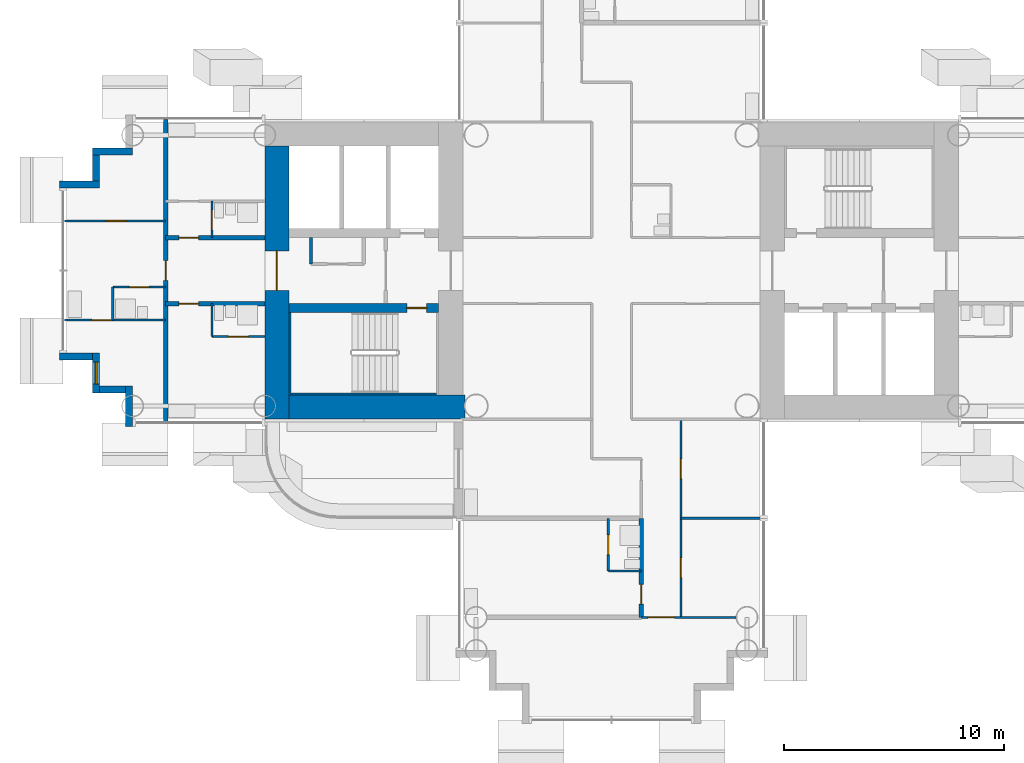
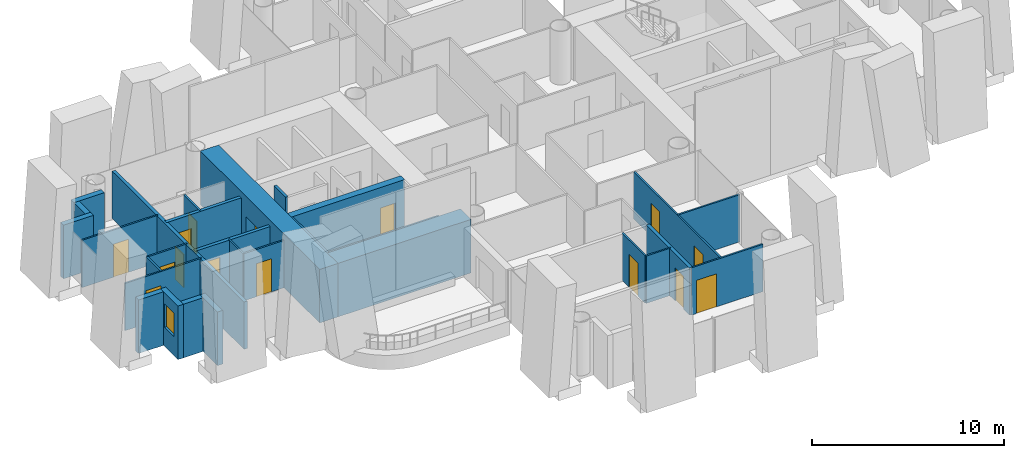
# One storey, part 10 of 24: 29 walls, 15 doors, 1 window, 16 openings.
"""IFC4 building model written with IfcOpenShell, lengths in metres."""

import ifcopenshell
import ifcopenshell.guid

model = None  # the IFC model being written
_history = None  # IfcOwnerHistory: only IFC2X3 demands one
_inside = {}  # id of a spatial element -> (the spatial element, [elements in it])
_under = {}  # id of a project, library or spatial element -> (it, [spatial elements below it])
_declared = {}  # id of a project -> (the project, [libraries it declares])
_typed = {}  # id of a type object -> (the type object, [elements of that type])
_made_of = {}  # id of a material, layer set ... -> (it, [elements and type objects made of it])


def new_model(schema):
    """Start an empty IFC model of exactly this schema.

    Asked for "IFC4X3", IfcOpenShell would pick the latest addendum, in which some entities
    have other attributes; the version numbers below select the first issue.
    IFC2X3 requires an IfcOwnerHistory on every rooted entity: one is made here for all.
    """
    global model, _history
    if schema == "IFC4X3":
        model = ifcopenshell.file(schema_version=(4, 3, 0, 0))
    else:
        model = ifcopenshell.file(schema=schema)
    _inside.clear()
    _under.clear()
    _declared.clear()
    _typed.clear()
    _made_of.clear()
    _history = None
    if model.schema == "IFC2X3":
        org = make("IfcOrganization", Name="unknown")
        user = make(
            "IfcPersonAndOrganization",
            ThePerson=make("IfcPerson", FamilyName="unknown"),
            TheOrganization=org,
        )
        app = make(
            "IfcApplication",
            ApplicationDeveloper=org,
            Version="unknown",
            ApplicationFullName="unknown",
            ApplicationIdentifier="unknown",
        )
        _history = make(
            "IfcOwnerHistory",
            OwningUser=user,
            OwningApplication=app,
            ChangeAction="ADDED",
            CreationDate=0,
        )
    return model


def make(cls, **values):
    """One entity of the class cls with the attributes given. An attribute that is None is left unset."""
    return model.create_entity(
        cls, **{name: value for name, value in values.items() if value is not None}
    )


def rooted(cls, **values):
    """An entity with a GlobalId (a new one), such as an element, a storey or a relation."""
    return make(cls, GlobalId=ifcopenshell.guid.new(), OwnerHistory=_history, **values)


def si_unit(unit_type, name, prefix=None):
    """IfcSIUnit, for example si_unit("LENGTHUNIT", "METRE", prefix="MILLI")."""
    return make("IfcSIUnit", UnitType=unit_type, Prefix=prefix, Name=name)


def assignment(units):
    """IfcUnitAssignment: the units of a project."""
    return None if units is None else make("IfcUnitAssignment", Units=units)


def point(xyz):
    """IfcCartesianPoint."""
    return None if xyz is None else make("IfcCartesianPoint", Coordinates=xyz)


def direction(xyz):
    """IfcDirection."""
    return None if xyz is None else make("IfcDirection", DirectionRatios=xyz)


def frame(location, z_axis=None, x_axis=None):
    """IfcAxis2Placement3D, a coordinate frame: its origin and axes. An axis left out is left unset."""
    return make(
        "IfcAxis2Placement3D",
        Location=point(location),
        Axis=direction(z_axis),
        RefDirection=direction(x_axis),
    )


def frame_2d(location, x_axis=None):
    """IfcAxis2Placement2D, a coordinate frame in the plane: its origin and x axis."""
    return make(
        "IfcAxis2Placement2D", Location=point(location), RefDirection=direction(x_axis)
    )


def origin():
    """The frame at (0, 0, 0) with its axes left unset."""
    return frame((0.0, 0.0, 0.0))


def place(relative_to, where):
    """IfcLocalPlacement: puts the frame where relative to a parent placement (None: the world)."""
    return make(
        "IfcLocalPlacement", PlacementRelTo=relative_to, RelativePlacement=where
    )


def context(
    kind, dimensions, precision=None, world=None, true_north=None, identifier=None
):
    """IfcGeometricRepresentationContext, for example the 3D "Model" context."""
    return make(
        "IfcGeometricRepresentationContext",
        ContextIdentifier=identifier,
        ContextType=kind,
        CoordinateSpaceDimension=dimensions,
        Precision=precision,
        WorldCoordinateSystem=world,
        TrueNorth=true_north,
    )


def subcontext(parent, identifier, kind, view, scale=None):
    """IfcGeometricRepresentationSubContext, for example "Body" below "Model"."""
    return make(
        "IfcGeometricRepresentationSubContext",
        ContextIdentifier=identifier,
        ContextType=kind,
        ParentContext=parent,
        TargetScale=scale,
        TargetView=view,
    )


def project(units=None, contexts=None):
    """IfcProject with its units and contexts."""
    return rooted(
        "IfcProject",
        Name="project",
        RepresentationContexts=contexts,
        UnitsInContext=assignment(units),
    )


def spatial(cls, under=None, at=None, **own):
    """A site, building, storey or space (cls), placed at a placement, below another one or the project."""
    s = rooted(cls, ObjectPlacement=at, **own)
    if under is not None:
        _under.setdefault(under.id(), (under, []))[1].append(s)
    return s


def profile(cls, at=None, kind="AREA", **sizes):
    """A parametric profile (cls). Its sizes go by their IFC names, for example OverallWidth=200.0."""
    return make(cls, ProfileType=kind, Position=at, **sizes)


def rectangle(**sizes):
    """IfcRectangleProfileDef."""
    return profile("IfcRectangleProfileDef", **sizes)


def extrude(swept, where, along, depth):
    """IfcExtrudedAreaSolid: the profile swept, set in the frame where, extruded along a direction by depth."""
    return make(
        "IfcExtrudedAreaSolid",
        SweptArea=swept,
        Position=where,
        ExtrudedDirection=direction(along),
        Depth=depth,
    )


def shape(context_of_items, identifier, shape_type, items):
    """IfcShapeRepresentation: the items that make up one representation, for example the "Body"."""
    return make(
        "IfcShapeRepresentation",
        ContextOfItems=context_of_items,
        RepresentationIdentifier=identifier,
        RepresentationType=shape_type,
        Items=items,
    )


def material(Name=None, Category=None):
    """IfcMaterial."""
    return make("IfcMaterial", Name=Name, Category=Category)


def layer(
    of_material, thickness, ventilated=None, Name=None, Category=None, Priority=None
):
    """IfcMaterialLayer: one layer of a wall or slab, of a material (None: an air gap)."""
    return make(
        "IfcMaterialLayer",
        Material=of_material,
        LayerThickness=thickness,
        IsVentilated=ventilated,
        Name=Name,
        Category=Category,
        Priority=Priority,
    )


def layer_set(layers, Name=None):
    """IfcMaterialLayerSet."""
    return make("IfcMaterialLayerSet", MaterialLayers=layers, LayerSetName=Name)


def made_of(thing, what):
    """Note that an element or type object is made of a material, layer set ...; save() writes the relation."""
    if what is not None:
        _made_of.setdefault(what.id(), (what, []))[1].append(thing)
    return thing


def type_object(cls, material=None, **own):
    """A type object (cls), such as IfcWallType, which elements share."""
    return made_of(rooted(cls, **own), material)


def element(
    cls,
    number,
    at=None,
    inside=None,
    cuts=None,
    type_object=None,
    material=None,
    context=None,
    identifier="Body",
    shape_type=None,
    held_by="IfcProductDefinitionShape",
    body=None,
    shapes=None,
    **own,
):
    """One element of the class cls, such as IfcWall. Its Tag is "e" and its number.

    at: its placement. inside: the storey or other place that contains it. cuts: it is an
    opening in that element (IfcRelVoidsElement). A single representation is given by context,
    identifier, shape_type and body (its items); several are given by shapes. held_by: the class
    of the entity that holds the representations. save() writes the other relations.
    """
    e = rooted(cls, Tag="e%d" % number, ObjectPlacement=at, **own)
    if body is not None:
        shapes = [shape(context, identifier, shape_type, body)]
    if shapes is not None:
        e.Representation = make(held_by, Representations=shapes)
    if inside is not None:
        _inside.setdefault(inside.id(), (inside, []))[1].append(e)
    if cuts is not None:
        rooted(
            "IfcRelVoidsElement", RelatingBuildingElement=cuts, RelatedOpeningElement=e
        )
    if type_object is not None:
        _typed.setdefault(type_object.id(), (type_object, []))[1].append(e)
    return made_of(e, material)


def fill(opening, filler):
    """IfcRelFillsElement: the door or window that sits in an opening."""
    return rooted(
        "IfcRelFillsElement",
        RelatingOpeningElement=opening,
        RelatedBuildingElement=filler,
    )


def aggregate(whole, parts):
    """IfcRelAggregates: a whole, such as a stair, and the parts it consists of."""
    return rooted("IfcRelAggregates", RelatingObject=whole, RelatedObjects=parts)


def save(model, path):
    """Write the relations noted so far, then the file.

    IfcRelAggregates (storeys below a building ...), IfcRelContainedInSpatialStructure (elements
    in a storey), IfcRelDefinesByType, IfcRelAssociatesMaterial and IfcRelDeclares: one each for
    every whole, place, type object, material and project.
    """
    for whole, parts in _under.values():
        aggregate(whole, parts)
    for where, things in _inside.values():
        rooted(
            "IfcRelContainedInSpatialStructure",
            RelatedElements=things,
            RelatingStructure=where,
        )
    for kind, things in _typed.values():
        rooted("IfcRelDefinesByType", RelatedObjects=things, RelatingType=kind)
    for what, things in _made_of.values():
        rooted("IfcRelAssociatesMaterial", RelatedObjects=things, RelatingMaterial=what)
    for by, libraries in _declared.values():
        rooted("IfcRelDeclares", RelatingContext=by, RelatedDefinitions=libraries)
    model.write(path)


model = new_model("IFC4")

# Units and contexts
model_context = context("Model", 3, precision=1e-05, world=origin(), true_north=direction((0.0, 1.0)))
body_context = subcontext(model_context, "Body", "Model", "MODEL_VIEW")
ifc_project = project(units=[si_unit("LENGTHUNIT", "METRE"), si_unit("AREAUNIT", "SQUARE_METRE"), si_unit("VOLUMEUNIT", "CUBIC_METRE"), si_unit("PLANEANGLEUNIT", "RADIAN"), si_unit("MASSUNIT", "GRAM", prefix="KILO")], contexts=[model_context])

# Site, building, storey
site_placement = place(None, origin())
site = spatial("IfcSite", under=ifc_project, at=site_placement, CompositionType="ELEMENT")
building_placement = place(site_placement, origin())
building = spatial("IfcBuilding", under=site, at=building_placement, Name="Ipe Terrace Towers", CompositionType="ELEMENT")
storey_placement = place(building_placement, frame((0.0, 0.0, 38.10009765625)))
storey = spatial("IfcBuildingStorey", under=building, at=storey_placement, Name="L09", CompositionType="ELEMENT", Elevation=38.10009765625)

# Wall
ifc_material_1 = material(Name="Concrete C40/50 with buff precast cladding", Category="concrete")
ifc_layer_1 = layer(ifc_material_1, 0.320068359375)
ifc_layer_set_1 = layer_set([ifc_layer_1], Name="BUFF CLADDING WALL 320")
wall_type_1 = type_object("IfcWallType", Name="BUFF CLADDING WALL 320", PredefinedType="STANDARD", material=ifc_layer_set_1)
wall_1_placement = place(storey_placement, frame((-61.070068359375, -3.909912109375, -0.300048828125), z_axis=(0.0, 0.0, 1.0), x_axis=(1.0, 0.0, 0.0)))
element("IfcWall", 1, at=wall_1_placement, inside=storey, type_object=wall_type_1, Name="T1-W-L09-00a wall", PredefinedType="STANDARD", context=body_context, shape_type="SweptSolid", body=[
    extrude(rectangle(XDim=1.5, YDim=0.320068359375, at=frame_2d((0.75, 0.0))), origin(), (0.0, 0.0, 1.0), 3.39990234375),
])

# Wall, opening, window
wall_2_placement = place(storey_placement, frame((-59.409912109375, -3.75, -0.300048828125), z_axis=(0.0, 0.0, 1.0), x_axis=(0.0, -1.0, 0.0)))
wall_2 = element("IfcWall", 2, at=wall_2_placement, inside=storey, type_object=wall_type_1, Name="T1-W-L09-01a wall", PredefinedType="STANDARD", context=body_context, shape_type="SweptSolid", body=[
    extrude(rectangle(XDim=1.820068359375, YDim=0.320068359375, at=frame_2d((0.91015625, 0.0))), origin(), (0.0, 0.0, 1.0), 3.39990234375),
])
opening_1_placement = place(wall_2_placement, frame((0.409912109375, 0.0, 1.199951171875)))
opening_1 = element("IfcOpeningElement", 3, at=opening_1_placement, cuts=wall_2, Name="Opening T1-W-05-L09-01", PredefinedType="OPENING", context=body_context, shape_type="SweptSolid", body=[
    extrude(rectangle(XDim=1.0, YDim=1.5, at=frame_2d((0.5, 0.75))), frame((0.0, 0.169921875, 0.0), z_axis=(0.0, -1.0, 0.0), x_axis=(1.0, 0.0, 0.0)), (0.0, 0.0, 1.0), 0.340087890625),
])
ifc_material_2 = material(Name="Glass, clear laminated", Category="glass")
window_type = type_object("IfcWindowType", Name="DWELLING WINDOW 1000 x 1500", PartitioningType="SINGLE_PANEL", PredefinedType="WINDOW", material=ifc_material_2)
window_placement = place(opening_1_placement, origin())
window = element("IfcWindow", 4, at=window_placement, inside=storey, type_object=window_type, Name="W-05 window", OverallHeight=1.5, OverallWidth=1.0, PartitioningType="SINGLE_PANEL", PredefinedType="WINDOW", context=body_context, shape_type="SweptSolid", body=[
    extrude(rectangle(XDim=1.0, YDim=1.5, at=frame_2d((0.5, 0.75))), frame((0.0, 0.030029296875, 0.0), z_axis=(0.0, -1.0, 0.0), x_axis=(1.0, 0.0, 0.0)), (0.0, 0.0, 1.0), 0.06005859375),
])
fill(opening_1, window)

# Walls
wall_3_placement = place(storey_placement, frame((-59.25, -5.409912109375, -0.300048828125), z_axis=(0.0, 0.0, 1.0), x_axis=(1.0, 0.0, 0.0)))
element("IfcWall", 5, at=wall_3_placement, inside=storey, type_object=wall_type_1, Name="T1-W-L09-02a wall", PredefinedType="STANDARD", context=body_context, shape_type="SweptSolid", body=[
    extrude(rectangle(XDim=1.179931640625, YDim=0.320068359375, at=frame_2d((0.58984375, 0.0))), origin(), (0.0, 0.0, 1.0), 3.39990234375),
])
for number, where, z_axis, x_axis, name in (
    (6, (-57.909912109375, -5.25, -0.300048828125), (0.0, 0.0, 1.0), (0.0, -1.0, 0.0), "T1-W-L09-03a wall"),
    (7, (-57.75, 5.409912109375, -0.300048828125), (0.0, 0.0, 1.0), (-1.0, 0.0, 0.0), "T1-W-L09-48a wall"),
):
    element("IfcWall", number, at=place(storey_placement, frame(where, z_axis=z_axis, x_axis=x_axis)), inside=storey, type_object=wall_type_1, Name=name, PredefinedType="STANDARD", context=body_context, shape_type="SweptSolid", body=[
        extrude(rectangle(XDim=1.820068359375, YDim=0.320068359375, at=frame_2d((0.91015625, 0.0))), origin(), (0.0, 0.0, 1.0), 3.39990234375),
    ])
wall_4_placement = place(storey_placement, frame((-59.409912109375, 5.25, -0.300048828125), z_axis=(0.0, 0.0, 1.0), x_axis=(0.0, -1.0, 0.0)))
element("IfcWall", 8, at=wall_4_placement, inside=storey, type_object=wall_type_1, Name="T1-W-L09-49a wall", PredefinedType="STANDARD", context=body_context, shape_type="SweptSolid", body=[
    extrude(rectangle(XDim=1.179931640625, YDim=0.320068359375, at=frame_2d((0.58984375, 0.0))), origin(), (0.0, 0.0, 1.0), 3.39990234375),
])
wall_5_placement = place(storey_placement, frame((-59.25, 3.909912109375, -0.300048828125), z_axis=(0.0, 0.0, 1.0), x_axis=(-1.0, 0.0, 0.0)))
element("IfcWall", 9, at=wall_5_placement, inside=storey, type_object=wall_type_1, Name="T1-W-L09-50a wall", PredefinedType="STANDARD", context=body_context, shape_type="SweptSolid", body=[
    extrude(rectangle(XDim=1.820068359375, YDim=0.320068359375, at=frame_2d((0.91015625, 0.0))), origin(), (0.0, 0.0, 1.0), 3.39990234375),
])
ifc_material_3 = material(Name="Gypsum board partition", Category="plasterboard")
ifc_layer_2 = layer(ifc_material_3, 0.10009765625)
ifc_layer_set_2 = layer_set([ifc_layer_2], Name="Gypsum board partition 100 mm")
wall_type_2 = type_object("IfcWallType", Name="Gypsum board partition 100 mm", PredefinedType="PARTITIONING", material=ifc_layer_set_2)
for number, where, z_axis, x_axis, name in (
    (10, (-58.64990234375, -2.25, 0.0), (0.0, 0.0, 1.0), (0.0, 1.0, 0.0), "Gypsum board partition T1 L09 W01"),
    (11, (-54.14990234375, -3.0, 0.0), (0.0, 0.0, 1.0), (0.0, 1.0, 0.0), "Gypsum board partition T1 L09 W03"),
):
    element("IfcWall", number, at=place(storey_placement, frame(where, z_axis=z_axis, x_axis=x_axis)), inside=storey, type_object=wall_type_2, Name=name, PredefinedType="PARTITIONING", context=body_context, shape_type="SweptSolid", body=[
        extrude(rectangle(XDim=1.5, YDim=0.10009765625, at=frame_2d((0.75, 0.0))), origin(), (0.0, 0.0, 1.0), 3.0),
    ])

# Wall, opening, door
wall_6_placement = place(storey_placement, frame((-54.14990234375, 1.5, 0.0), z_axis=(0.0, 0.0, 1.0), x_axis=(0.0, 1.0, 0.0)))
wall_6 = element("IfcWall", 12, at=wall_6_placement, inside=storey, type_object=wall_type_2, Name="Gypsum board partition T1 L09 W04", PredefinedType="PARTITIONING", context=body_context, shape_type="SweptSolid", body=[
    extrude(rectangle(XDim=1.64990234375, YDim=0.10009765625, at=frame_2d((0.824951171875, 0.0))), origin(), (0.0, 0.0, 1.0), 3.0),
])
opening_2_placement = place(wall_6_placement, frame((0.35009765625, 0.0, 0.0)))
opening_2 = element("IfcOpeningElement", 13, at=opening_2_placement, cuts=wall_6, Name="Opening T1-Z1B-26", PredefinedType="OPENING", context=body_context, shape_type="SweptSolid", body=[
    extrude(rectangle(XDim=0.89990234375, YDim=2.10009765625, at=frame_2d((0.449951171875, 1.050048828125))), frame((0.0, 0.06005859375, 0.0), z_axis=(0.0, -1.0, 0.0), x_axis=(1.0, 0.0, 0.0)), (0.0, 0.0, 1.0), 0.1201171875),
])
ifc_material_4 = material(Name="Timber door leaf", Category="wood")
door_type_1 = type_object("IfcDoorType", Name="Bathroom door 900 x 2100", OperationType="NOTDEFINED", PredefinedType="DOOR", material=ifc_material_4)
door_1_placement = place(opening_2_placement, origin())
door_1 = element("IfcDoor", 14, at=door_1_placement, inside=storey, type_object=door_type_1, Name="Bathroom door T1-Z1B-26", OperationType="SINGLE_SWING_LEFT", OverallHeight=2.10009765625, OverallWidth=0.89990234375, PredefinedType="DOOR", context=body_context, shape_type="SweptSolid", body=[
    extrude(rectangle(XDim=0.89990234375, YDim=2.10009765625, at=frame_2d((0.449951171875, 1.050048828125))), frame((0.0, 0.02490234375, 0.0), z_axis=(0.0, -1.0, 0.0), x_axis=(1.0, 0.0, 0.0)), (0.0, 0.0, 1.0), 0.050048828125),
])
fill(opening_2, door_1)

wall_7_placement = place(storey_placement, frame((-36.14990234375, -13.64990234375, 0.0), z_axis=(0.0, 0.0, 1.0), x_axis=(0.0, 1.0, 0.0)))
wall_7 = element("IfcWall", 15, at=wall_7_placement, inside=storey, type_object=wall_type_2, Name="Gypsum board partition T1 L09 W10", PredefinedType="PARTITIONING", context=body_context, shape_type="SweptSolid", body=[
    extrude(rectangle(XDim=2.39990234375, YDim=0.10009765625, at=frame_2d((1.199951171875, 0.0))), origin(), (0.0, 0.0, 1.0), 3.0),
])
opening_3_placement = place(wall_7_placement, frame((0.75, 0.0, 0.0)))
opening_3 = element("IfcOpeningElement", 16, at=opening_3_placement, cuts=wall_7, Name="Opening T1-Z1B-16", PredefinedType="OPENING", context=body_context, shape_type="SweptSolid", body=[
    extrude(rectangle(XDim=0.89990234375, YDim=2.10009765625, at=frame_2d((0.449951171875, 1.050048828125))), frame((0.0, 0.06005859375, 0.0), z_axis=(0.0, -1.0, 0.0), x_axis=(1.0, 0.0, 0.0)), (0.0, 0.0, 1.0), 0.1201171875),
])
door_2_placement = place(opening_3_placement, origin())
door_2 = element("IfcDoor", 17, at=door_2_placement, inside=storey, type_object=door_type_1, Name="Bathroom door T1-Z1B-16", OperationType="SINGLE_SWING_RIGHT", OverallHeight=2.10009765625, OverallWidth=0.89990234375, PredefinedType="DOOR", context=body_context, shape_type="SweptSolid", body=[
    extrude(rectangle(XDim=0.89990234375, YDim=2.10009765625, at=frame_2d((0.449951171875, 1.050048828125))), frame((0.0, 0.02490234375, 0.0), z_axis=(0.0, -1.0, 0.0), x_axis=(1.0, 0.0, 0.0)), (0.0, 0.0, 1.0), 0.050048828125),
])
fill(opening_3, door_2)

# Wall, openings, doors
wall_8_placement = place(storey_placement, frame((-32.85009765625, -15.75, 0.0), z_axis=(0.0, 0.0, 1.0), x_axis=(0.0, 1.0, 0.0)))
wall_8 = element("IfcWall", 18, at=wall_8_placement, inside=storey, type_object=wall_type_2, Name="Gypsum board partition T1 L09 W17", PredefinedType="PARTITIONING", context=body_context, shape_type="SweptSolid", body=[
    extrude(rectangle(XDim=9.0, YDim=0.10009765625, at=frame_2d((4.5, 0.0))), origin(), (0.0, 0.0, 1.0), 3.0),
])
opening_4_placement = place(wall_8_placement, frame((6.300048828125, 0.0, 0.0)))
opening_4 = element("IfcOpeningElement", 19, at=opening_4_placement, cuts=wall_8, Name="Opening T1-Z1B-12", PredefinedType="OPENING", context=body_context, shape_type="SweptSolid", body=[
    extrude(rectangle(XDim=0.89990234375, YDim=2.10009765625, at=frame_2d((0.449951171875, 1.050048828125))), frame((0.0, 0.06005859375, 0.0), z_axis=(0.0, -1.0, 0.0), x_axis=(1.0, 0.0, 0.0)), (0.0, 0.0, 1.0), 0.1201171875),
])
opening_5_placement = place(wall_8_placement, frame((1.800048828125, 0.0, 0.0)))
opening_5 = element("IfcOpeningElement", 20, at=opening_5_placement, cuts=wall_8, Name="Opening T1-Z1B-13", PredefinedType="OPENING", context=body_context, shape_type="SweptSolid", body=[
    extrude(rectangle(XDim=0.89990234375, YDim=2.10009765625, at=frame_2d((0.449951171875, 1.050048828125))), frame((0.0, 0.06005859375, 0.0), z_axis=(0.0, -1.0, 0.0), x_axis=(1.0, 0.0, 0.0)), (0.0, 0.0, 1.0), 0.1201171875),
])
ifc_material_5 = material(Name="Timber door leaf", Category="wood")
door_type_2 = type_object("IfcDoorType", Name="Lounge door 900 x 2100", OperationType="NOTDEFINED", PredefinedType="DOOR", material=ifc_material_5)
door_3_placement = place(opening_4_placement, origin())
door_3 = element("IfcDoor", 21, at=door_3_placement, inside=storey, type_object=door_type_2, Name="Lounge door T1-Z1B-12", OperationType="SINGLE_SWING_RIGHT", OverallHeight=2.10009765625, OverallWidth=0.89990234375, PredefinedType="DOOR", context=body_context, shape_type="SweptSolid", body=[
    extrude(rectangle(XDim=0.89990234375, YDim=2.10009765625, at=frame_2d((0.449951171875, 1.050048828125))), frame((0.0, 0.02490234375, 0.0), z_axis=(0.0, -1.0, 0.0), x_axis=(1.0, 0.0, 0.0)), (0.0, 0.0, 1.0), 0.050048828125),
])
fill(opening_4, door_3)
door_4_placement = place(opening_5_placement, origin())
door_4 = element("IfcDoor", 22, at=door_4_placement, inside=storey, type_object=door_type_2, Name="Lounge door T1-Z1B-13", OperationType="SINGLE_SWING_LEFT", OverallHeight=2.10009765625, OverallWidth=0.89990234375, PredefinedType="DOOR", context=body_context, shape_type="SweptSolid", body=[
    extrude(rectangle(XDim=0.89990234375, YDim=2.10009765625, at=frame_2d((0.449951171875, 1.050048828125))), frame((0.0, 0.02490234375, 0.0), z_axis=(0.0, -1.0, 0.0), x_axis=(1.0, 0.0, 0.0)), (0.0, 0.0, 1.0), 0.050048828125),
])
fill(opening_5, door_4)

# Wall, opening, door
wall_9_placement = place(storey_placement, frame((-34.64990234375, -15.75, 0.0), z_axis=(0.0, 0.0, 1.0), x_axis=(1.0, 0.0, 0.0)))
wall_9 = element("IfcWall", 23, at=wall_9_placement, inside=storey, type_object=wall_type_2, Name="Gypsum board partition T1 L09 W21", PredefinedType="PARTITIONING", context=body_context, shape_type="SweptSolid", body=[
    extrude(rectangle(XDim=4.2998046875, YDim=0.10009765625, at=frame_2d((2.14990234375, 0.0))), origin(), (0.0, 0.0, 1.0), 3.0),
])
opening_6_placement = place(wall_9_placement, frame((0.300048828125, 0.0, 0.0)))
opening_6 = element("IfcOpeningElement", 24, at=opening_6_placement, cuts=wall_9, Name="Opening T1-Z1B-17", PredefinedType="OPENING", context=body_context, shape_type="SweptSolid", body=[
    extrude(rectangle(XDim=1.199951171875, YDim=2.10009765625, at=frame_2d((0.60009765625, 1.050048828125))), frame((0.0, 0.06005859375, 0.0), z_axis=(0.0, -1.0, 0.0), x_axis=(1.0, 0.0, 0.0)), (0.0, 0.0, 1.0), 0.1201171875),
])
ifc_material_6 = material(Name="Timber door leaf", Category="wood")
door_type_3 = type_object("IfcDoorType", Name="Lounge door 1200 x 2100", OperationType="NOTDEFINED", PredefinedType="DOOR", material=ifc_material_6)
door_5_placement = place(opening_6_placement, origin())
door_5 = element("IfcDoor", 25, at=door_5_placement, inside=storey, type_object=door_type_3, Name="Lounge door T1-Z1B-17", OperationType="SINGLE_SWING_LEFT", OverallHeight=2.10009765625, OverallWidth=1.199951171875, PredefinedType="DOOR", context=body_context, shape_type="SweptSolid", body=[
    extrude(rectangle(XDim=1.199951171875, YDim=2.10009765625, at=frame_2d((0.60009765625, 1.050048828125))), frame((0.0, 0.02490234375, 0.0), z_axis=(0.0, -1.0, 0.0), x_axis=(1.0, 0.0, 0.0)), (0.0, 0.0, 1.0), 0.050048828125),
])
fill(opening_6, door_5)

# Walls
wall_10_placement = place(storey_placement, frame((-36.14990234375, -13.64990234375, 0.0), z_axis=(0.0, 0.0, 1.0), x_axis=(1.0, 0.0, 0.0)))
element("IfcWall", 26, at=wall_10_placement, inside=storey, type_object=wall_type_2, Name="Gypsum board partition T1 L09 W23", PredefinedType="PARTITIONING", context=body_context, shape_type="SweptSolid", body=[
    extrude(rectangle(XDim=1.5, YDim=0.10009765625, at=frame_2d((0.75, 0.0))), origin(), (0.0, 0.0, 1.0), 3.0),
])
wall_11_placement = place(storey_placement, frame((-32.85009765625, -11.25, 0.0), z_axis=(0.0, 0.0, 1.0), x_axis=(1.0, 0.0, 0.0)))
element("IfcWall", 27, at=wall_11_placement, inside=storey, type_object=wall_type_2, Name="Gypsum board partition T1 L09 W24", PredefinedType="PARTITIONING", context=body_context, shape_type="SweptSolid", body=[
    extrude(rectangle(XDim=3.7001953125, YDim=0.10009765625, at=frame_2d((1.85009765625, 0.0))), origin(), (0.0, 0.0, 1.0), 3.0),
])

# Wall, opening, door
wall_12_placement = place(storey_placement, frame((-54.14990234375, -3.0, 0.0), z_axis=(0.0, 0.0, 1.0), x_axis=(1.0, 0.0, 0.0)))
wall_12 = element("IfcWall", 28, at=wall_12_placement, inside=storey, type_object=wall_type_2, Name="Gypsum board partition T1 L09 W29", PredefinedType="PARTITIONING", context=body_context, shape_type="SweptSolid", body=[
    extrude(rectangle(XDim=2.39990234375, YDim=0.10009765625, at=frame_2d((1.199951171875, 0.0))), origin(), (0.0, 0.0, 1.0), 3.0),
])
opening_7_placement = place(wall_12_placement, frame((0.75, 0.0, 0.0)))
opening_7 = element("IfcOpeningElement", 29, at=opening_7_placement, cuts=wall_12, Name="Opening T1-Z1B-23", PredefinedType="OPENING", context=body_context, shape_type="SweptSolid", body=[
    extrude(rectangle(XDim=0.89990234375, YDim=2.10009765625, at=frame_2d((0.449951171875, 1.050048828125))), frame((0.0, 0.06005859375, 0.0), z_axis=(0.0, -1.0, 0.0), x_axis=(1.0, 0.0, 0.0)), (0.0, 0.0, 1.0), 0.1201171875),
])
door_6_placement = place(opening_7_placement, origin())
door_6 = element("IfcDoor", 30, at=door_6_placement, inside=storey, type_object=door_type_1, Name="Bathroom door T1-Z1B-23", OperationType="SINGLE_SWING_LEFT", OverallHeight=2.10009765625, OverallWidth=0.89990234375, PredefinedType="DOOR", context=body_context, shape_type="SweptSolid", body=[
    extrude(rectangle(XDim=0.89990234375, YDim=2.10009765625, at=frame_2d((0.449951171875, 1.050048828125))), frame((0.0, 0.02490234375, 0.0), z_axis=(0.0, -1.0, 0.0), x_axis=(1.0, 0.0, 0.0)), (0.0, 0.0, 1.0), 0.050048828125),
])
fill(opening_7, door_6)

wall_13_placement = place(storey_placement, frame((-60.85009765625, -2.25, 0.0), z_axis=(0.0, 0.0, 1.0), x_axis=(1.0, 0.0, 0.0)))
wall_13 = element("IfcWall", 31, at=wall_13_placement, inside=storey, type_object=wall_type_2, Name="Gypsum board partition T1 L09 W31", PredefinedType="PARTITIONING", context=body_context, shape_type="SweptSolid", body=[
    extrude(rectangle(XDim=4.60009765625, YDim=0.10009765625, at=frame_2d((2.300048828125, 0.0))), origin(), (0.0, 0.0, 1.0), 3.0),
])
opening_8_placement = place(wall_13_placement, frame((1.25, 0.0, 0.0)))
opening_8 = element("IfcOpeningElement", 32, at=opening_8_placement, cuts=wall_13, Name="Opening T1-Z1B-29", PredefinedType="OPENING", context=body_context, shape_type="SweptSolid", body=[
    extrude(rectangle(XDim=0.89990234375, YDim=2.10009765625, at=frame_2d((0.449951171875, 1.050048828125))), frame((0.0, 0.06005859375, 0.0), z_axis=(0.0, -1.0, 0.0), x_axis=(1.0, 0.0, 0.0)), (0.0, 0.0, 1.0), 0.1201171875),
])
ifc_material_7 = material(Name="Timber door leaf", Category="wood")
door_type_4 = type_object("IfcDoorType", Name="Bedroom door 900 x 2100", OperationType="NOTDEFINED", PredefinedType="DOOR", material=ifc_material_7)
door_7_placement = place(opening_8_placement, origin())
door_7 = element("IfcDoor", 33, at=door_7_placement, inside=storey, type_object=door_type_4, Name="Bedroom door T1-Z1B-29", OperationType="SINGLE_SWING_LEFT", OverallHeight=2.10009765625, OverallWidth=0.89990234375, PredefinedType="DOOR", context=body_context, shape_type="SweptSolid", body=[
    extrude(rectangle(XDim=0.89990234375, YDim=2.10009765625, at=frame_2d((0.449951171875, 1.050048828125))), frame((0.0, 0.02490234375, 0.0), z_axis=(0.0, -1.0, 0.0), x_axis=(1.0, 0.0, 0.0)), (0.0, 0.0, 1.0), 0.050048828125),
])
fill(opening_8, door_7)

wall_14_placement = place(storey_placement, frame((-58.64990234375, -0.75, 0.0), z_axis=(0.0, 0.0, 1.0), x_axis=(1.0, 0.0, 0.0)))
wall_14 = element("IfcWall", 34, at=wall_14_placement, inside=storey, type_object=wall_type_2, Name="Gypsum board partition T1 L09 W36", PredefinedType="PARTITIONING", context=body_context, shape_type="SweptSolid", body=[
    extrude(rectangle(XDim=2.39990234375, YDim=0.10009765625, at=frame_2d((1.199951171875, 0.0))), origin(), (0.0, 0.0, 1.0), 3.0),
])
opening_9_placement = place(wall_14_placement, frame((0.75, 0.0, 0.0)))
opening_9 = element("IfcOpeningElement", 35, at=opening_9_placement, cuts=wall_14, Name="Opening T1-Z1B-27", PredefinedType="OPENING", context=body_context, shape_type="SweptSolid", body=[
    extrude(rectangle(XDim=0.89990234375, YDim=2.10009765625, at=frame_2d((0.449951171875, 1.050048828125))), frame((0.0, 0.06005859375, 0.0), z_axis=(0.0, -1.0, 0.0), x_axis=(1.0, 0.0, 0.0)), (0.0, 0.0, 1.0), 0.1201171875),
])
door_8_placement = place(opening_9_placement, origin())
door_8 = element("IfcDoor", 36, at=door_8_placement, inside=storey, type_object=door_type_1, Name="Bathroom door T1-Z1B-27", OperationType="SINGLE_SWING_RIGHT", OverallHeight=2.10009765625, OverallWidth=0.89990234375, PredefinedType="DOOR", context=body_context, shape_type="SweptSolid", body=[
    extrude(rectangle(XDim=0.89990234375, YDim=2.10009765625, at=frame_2d((0.449951171875, 1.050048828125))), frame((0.0, 0.02490234375, 0.0), z_axis=(0.0, -1.0, 0.0), x_axis=(1.0, 0.0, 0.0)), (0.0, 0.0, 1.0), 0.050048828125),
])
fill(opening_9, door_8)

wall_15_placement = place(storey_placement, frame((-60.85009765625, 2.25, 0.0), z_axis=(0.0, 0.0, 1.0), x_axis=(1.0, 0.0, 0.0)))
wall_15 = element("IfcWall", 37, at=wall_15_placement, inside=storey, type_object=wall_type_2, Name="Gypsum board partition T1 L09 W41", PredefinedType="PARTITIONING", context=body_context, shape_type="SweptSolid", body=[
    extrude(rectangle(XDim=4.60009765625, YDim=0.10009765625, at=frame_2d((2.300048828125, 0.0))), origin(), (0.0, 0.0, 1.0), 3.0),
])
opening_10_placement = place(wall_15_placement, frame((1.89990234375, 0.0, 0.0)))
opening_10 = element("IfcOpeningElement", 38, at=opening_10_placement, cuts=wall_15, Name="Opening T1-Z1B-30", PredefinedType="OPENING", context=body_context, shape_type="SweptSolid", body=[
    extrude(rectangle(XDim=0.89990234375, YDim=2.10009765625, at=frame_2d((0.449951171875, 1.050048828125))), frame((0.0, 0.06005859375, 0.0), z_axis=(0.0, -1.0, 0.0), x_axis=(1.0, 0.0, 0.0)), (0.0, 0.0, 1.0), 0.1201171875),
])
door_9_placement = place(opening_10_placement, origin())
door_9 = element("IfcDoor", 39, at=door_9_placement, inside=storey, type_object=door_type_2, Name="Lounge door T1-Z1B-30", OperationType="SINGLE_SWING_LEFT", OverallHeight=2.10009765625, OverallWidth=0.89990234375, PredefinedType="DOOR", context=body_context, shape_type="SweptSolid", body=[
    extrude(rectangle(XDim=0.89990234375, YDim=2.10009765625, at=frame_2d((0.449951171875, 1.050048828125))), frame((0.0, 0.02490234375, 0.0), z_axis=(0.0, -1.0, 0.0), x_axis=(1.0, 0.0, 0.0)), (0.0, 0.0, 1.0), 0.050048828125),
])
fill(opening_10, door_9)

# Wall
ifc_material_8 = material(Name="Gypsum board partition", Category="plasterboard")
ifc_layer_3 = layer(ifc_material_8, 0.14990234375)
ifc_layer_set_3 = layer_set([ifc_layer_3], Name="Gypsum board partition 150 mm")
wall_type_3 = type_object("IfcWallType", Name="Gypsum board partition 150 mm", PredefinedType="PARTITIONING", material=ifc_layer_set_3)
wall_16_placement = place(storey_placement, frame((-49.64990234375, 0.300048828125, 0.0), z_axis=(0.0, 0.0, 1.0), x_axis=(0.0, 1.0, 0.0)))
element("IfcWall", 40, at=wall_16_placement, inside=storey, type_object=wall_type_3, Name="Gypsum board partition T1 L09 t1c2-cup-s-b", PredefinedType="PARTITIONING", context=body_context, shape_type="SweptSolid", body=[
    extrude(rectangle(XDim=1.199951171875, YDim=0.14990234375, at=frame_2d((0.60009765625, 0.0))), origin(), (0.0, 0.0, 1.0), 3.0),
])

# Wall, opening, door
ifc_material_9 = material(Name="Gypsum board party wall", Category="plasterboard")
ifc_layer_4 = layer(ifc_material_9, 0.199951171875)
ifc_layer_set_4 = layer_set([ifc_layer_4], Name="Gypsum board party wall 200 mm")
wall_type_4 = type_object("IfcWallType", Name="Gypsum board party wall 200 mm", PredefinedType="SOLIDWALL", material=ifc_layer_set_4)
wall_17_placement = place(storey_placement, frame((-56.25, -6.85009765625, 0.0), z_axis=(0.0, 0.0, 1.0), x_axis=(0.0, 1.0, 0.0)))
wall_17 = element("IfcWall", 41, at=wall_17_placement, inside=storey, type_object=wall_type_4, Name="Gypsum board party wall T1 L09 W02", PredefinedType="SOLIDWALL", context=body_context, shape_type="SweptSolid", body=[
    extrude(rectangle(XDim=13.7001953125, YDim=0.199951171875, at=frame_2d((6.85009765625, 0.0))), origin(), (0.0, 0.0, 1.0), 3.0),
])
opening_11_placement = place(wall_17_placement, frame((6.39990234375, 0.0, 0.0)))
opening_11 = element("IfcOpeningElement", 42, at=opening_11_placement, cuts=wall_17, Name="Opening T1-Z1B-28", PredefinedType="OPENING", context=body_context, shape_type="SweptSolid", body=[
    extrude(rectangle(XDim=0.89990234375, YDim=2.10009765625, at=frame_2d((0.449951171875, 1.050048828125))), frame((0.0, 0.10986328125, 0.0), z_axis=(0.0, -1.0, 0.0), x_axis=(1.0, 0.0, 0.0)), (0.0, 0.0, 1.0), 0.219970703125),
])
ifc_material_10 = material(Name="Fire-rated timber door leaf", Category="wood")
door_type_5 = type_object("IfcDoorType", Name="Flat entrance door 900 x 2100 FD30S", OperationType="NOTDEFINED", PredefinedType="DOOR", material=ifc_material_10)
door_10_placement = place(opening_11_placement, origin())
door_10 = element("IfcDoor", 43, at=door_10_placement, inside=storey, type_object=door_type_5, Name="Flat entrance door T1-Z1B-28", OperationType="SINGLE_SWING_LEFT", OverallHeight=2.10009765625, OverallWidth=0.89990234375, PredefinedType="DOOR", context=body_context, shape_type="SweptSolid", body=[
    extrude(rectangle(XDim=0.89990234375, YDim=2.10009765625, at=frame_2d((0.449951171875, 1.050048828125))), frame((0.0, 0.02490234375, 0.0), z_axis=(0.0, -1.0, 0.0), x_axis=(1.0, 0.0, 0.0)), (0.0, 0.0, 1.0), 0.050048828125),
])
fill(opening_11, door_10)

wall_18_placement = place(storey_placement, frame((-34.64990234375, -15.75, 0.0), z_axis=(0.0, 0.0, 1.0), x_axis=(0.0, 1.0, 0.0)))
wall_18 = element("IfcWall", 44, at=wall_18_placement, inside=storey, type_object=wall_type_4, Name="Gypsum board party wall T1 L09 W15", PredefinedType="SOLIDWALL", context=body_context, shape_type="SweptSolid", body=[
    extrude(rectangle(XDim=4.5, YDim=0.199951171875, at=frame_2d((2.25, 0.0))), origin(), (0.0, 0.0, 1.0), 3.0),
])
opening_12_placement = place(wall_18_placement, frame((0.60009765625, 0.0, 0.0)))
opening_12 = element("IfcOpeningElement", 45, at=opening_12_placement, cuts=wall_18, Name="Opening T1-Z1B-15", PredefinedType="OPENING", context=body_context, shape_type="SweptSolid", body=[
    extrude(rectangle(XDim=0.89990234375, YDim=2.10009765625, at=frame_2d((0.449951171875, 1.050048828125))), frame((0.0, 0.10986328125, 0.0), z_axis=(0.0, -1.0, 0.0), x_axis=(1.0, 0.0, 0.0)), (0.0, 0.0, 1.0), 0.219970703125),
])
door_11_placement = place(opening_12_placement, origin())
door_11 = element("IfcDoor", 46, at=door_11_placement, inside=storey, type_object=door_type_5, Name="Flat entrance door T1-Z1B-15", OperationType="SINGLE_SWING_RIGHT", OverallHeight=2.10009765625, OverallWidth=0.89990234375, PredefinedType="DOOR", context=body_context, shape_type="SweptSolid", body=[
    extrude(rectangle(XDim=0.89990234375, YDim=2.10009765625, at=frame_2d((0.449951171875, 1.050048828125))), frame((0.0, 0.02490234375, 0.0), z_axis=(0.0, -1.0, 0.0), x_axis=(1.0, 0.0, 0.0)), (0.0, 0.0, 1.0), 0.050048828125),
])
fill(opening_12, door_11)

wall_19_placement = place(storey_placement, frame((-56.25, -1.5, 0.0), z_axis=(0.0, 0.0, 1.0), x_axis=(1.0, 0.0, 0.0)))
wall_19 = element("IfcWall", 47, at=wall_19_placement, inside=storey, type_object=wall_type_4, Name="Gypsum board party wall T1 L09 W34", PredefinedType="SOLIDWALL", context=body_context, shape_type="SweptSolid", body=[
    extrude(rectangle(XDim=4.5, YDim=0.199951171875, at=frame_2d((2.25, 0.0))), origin(), (0.0, 0.0, 1.0), 3.0),
])
opening_13_placement = place(wall_19_placement, frame((0.60009765625, 0.0, 0.0)))
opening_13 = element("IfcOpeningElement", 48, at=opening_13_placement, cuts=wall_19, Name="Opening T1-Z1B-22", PredefinedType="OPENING", context=body_context, shape_type="SweptSolid", body=[
    extrude(rectangle(XDim=0.89990234375, YDim=2.10009765625, at=frame_2d((0.449951171875, 1.050048828125))), frame((0.0, 0.10986328125, 0.0), z_axis=(0.0, -1.0, 0.0), x_axis=(1.0, 0.0, 0.0)), (0.0, 0.0, 1.0), 0.219970703125),
])
door_12_placement = place(opening_13_placement, origin())
door_12 = element("IfcDoor", 49, at=door_12_placement, inside=storey, type_object=door_type_5, Name="Flat entrance door T1-Z1B-22", OperationType="SINGLE_SWING_LEFT", OverallHeight=2.10009765625, OverallWidth=0.89990234375, PredefinedType="DOOR", context=body_context, shape_type="SweptSolid", body=[
    extrude(rectangle(XDim=0.89990234375, YDim=2.10009765625, at=frame_2d((0.449951171875, 1.050048828125))), frame((0.0, 0.02490234375, 0.0), z_axis=(0.0, -1.0, 0.0), x_axis=(1.0, 0.0, 0.0)), (0.0, 0.0, 1.0), 0.050048828125),
])
fill(opening_13, door_12)

wall_20_placement = place(storey_placement, frame((-56.25, 1.5, 0.0), z_axis=(0.0, 0.0, 1.0), x_axis=(1.0, 0.0, 0.0)))
wall_20 = element("IfcWall", 50, at=wall_20_placement, inside=storey, type_object=wall_type_4, Name="Gypsum board party wall T1 L09 W40", PredefinedType="SOLIDWALL", context=body_context, shape_type="SweptSolid", body=[
    extrude(rectangle(XDim=4.5, YDim=0.199951171875, at=frame_2d((2.25, 0.0))), origin(), (0.0, 0.0, 1.0), 3.0),
])
opening_14_placement = place(wall_20_placement, frame((0.60009765625, 0.0, 0.0)))
opening_14 = element("IfcOpeningElement", 51, at=opening_14_placement, cuts=wall_20, Name="Opening T1-Z1B-24", PredefinedType="OPENING", context=body_context, shape_type="SweptSolid", body=[
    extrude(rectangle(XDim=0.89990234375, YDim=2.10009765625, at=frame_2d((0.449951171875, 1.050048828125))), frame((0.0, 0.10986328125, 0.0), z_axis=(0.0, -1.0, 0.0), x_axis=(1.0, 0.0, 0.0)), (0.0, 0.0, 1.0), 0.219970703125),
])
door_13_placement = place(opening_14_placement, origin())
door_13 = element("IfcDoor", 52, at=door_13_placement, inside=storey, type_object=door_type_5, Name="Flat entrance door T1-Z1B-24", OperationType="SINGLE_SWING_RIGHT", OverallHeight=2.10009765625, OverallWidth=0.89990234375, PredefinedType="DOOR", context=body_context, shape_type="SweptSolid", body=[
    extrude(rectangle(XDim=0.89990234375, YDim=2.10009765625, at=frame_2d((0.449951171875, 1.050048828125))), frame((0.0, 0.02490234375, 0.0), z_axis=(0.0, -1.0, 0.0), x_axis=(1.0, 0.0, 0.0)), (0.0, 0.0, 1.0), 0.050048828125),
])
fill(opening_14, door_13)

# Walls
ifc_material_11 = material(Name="Concrete C60/75", Category="concrete")
ifc_layer_5 = layer(ifc_material_11, 0.10009765625)
ifc_layer_set_5 = layer_set([ifc_layer_5], Name="RW100 CORE INFILL WALL 100 C60-75")
wall_type_5 = type_object("IfcWallType", Name="RW100 CORE INFILL WALL 100 C60-75", PredefinedType="SHEAR", material=ifc_layer_set_5)
wall_21_placement = place(storey_placement, frame((-50.60009765625, -1.89990234375, 0.0), z_axis=(0.0, 0.0, 1.0), x_axis=(0.0, -1.0, 0.0)))
element("IfcWall", 53, at=wall_21_placement, inside=storey, type_object=wall_type_5, Name="Core infill wall T1-C2-far", PredefinedType="SHEAR", context=body_context, shape_type="SweptSolid", body=[
    extrude(rectangle(XDim=3.75, YDim=0.10009765625, at=frame_2d((1.875, 0.0))), origin(), (0.0, 0.0, 1.0), 3.39990234375),
])
wall_22_placement = place(storey_placement, frame((-43.949951171875, -5.60009765625, 0.0), z_axis=(0.0, 0.0, 1.0), x_axis=(-1.0, 0.0, 0.0)))
element("IfcWall", 54, at=wall_22_placement, inside=storey, type_object=wall_type_5, Name="Core infill wall T1-C2-back", PredefinedType="SHEAR", context=body_context, shape_type="SweptSolid", body=[
    extrude(rectangle(XDim=6.60009765625, YDim=0.10009765625, at=frame_2d((3.300048828125, 0.0))), origin(), (0.0, 0.0, 1.0), 3.39990234375),
])
ifc_material_12 = material(Name="Concrete C60/75", Category="concrete")
ifc_layer_6 = layer(ifc_material_12, 1.10009765625)
ifc_layer_set_6 = layer_set([ifc_layer_6], Name="RW1100 CORE WALL 1100 C60-75")
wall_type_6 = type_object("IfcWallType", Name="RW1100 CORE WALL 1100 C60-75", PredefinedType="SHEAR", material=ifc_layer_set_6)
wall_23_placement = place(storey_placement, frame((-50.64990234375, -6.199951171875, 0.0), z_axis=(0.0, 0.0, 1.0), x_axis=(1.0, 0.0, 0.0)))
element("IfcWall", 55, at=wall_23_placement, inside=storey, type_object=wall_type_6, Name="Core wall T1-C2-Z1-W01", PredefinedType="SHEAR", context=body_context, shape_type="SweptSolid", body=[
    extrude(rectangle(XDim=7.997802734375, YDim=1.10009765625, at=frame_2d((3.9990234375, 0.0))), origin(), (0.0, 0.0, 1.0), 3.39990234375),
])

# Wall, opening, door
wall_24_placement = place(storey_placement, frame((-51.199951171875, 5.64990234375, 0.0), z_axis=(0.0, 0.0, 1.0), x_axis=(0.0, -1.0, 0.0)))
wall_24 = element("IfcWall", 56, at=wall_24_placement, inside=storey, type_object=wall_type_6, Name="Core wall T1-C2-Z1-W04", PredefinedType="SHEAR", context=body_context, shape_type="SweptSolid", body=[
    extrude(rectangle(XDim=12.39990234375, YDim=1.10009765625, at=frame_2d((6.199951171875, 0.0))), origin(), (0.0, 0.0, 1.0), 3.39990234375),
])
opening_15_placement = place(wall_24_placement, frame((4.75, 0.0, 0.0)))
opening_15 = element("IfcOpeningElement", 57, at=opening_15_placement, cuts=wall_24, Name="Opening T1C2-FD", PredefinedType="OPENING", context=body_context, shape_type="SweptSolid", body=[
    extrude(rectangle(XDim=1.800048828125, YDim=2.10009765625, at=frame_2d((0.89990234375, 1.050048828125))), frame((0.0, 0.56005859375, 0.0), z_axis=(0.0, -1.0, 0.0), x_axis=(1.0, 0.0, 0.0)), (0.0, 0.0, 1.0), 1.1201171875),
])
ifc_material_13 = material(Name="Fire-rated timber door leaf", Category="wood")
door_type_6 = type_object("IfcDoorType", Name="Fire door 1800 x 2100 FD30S", OperationType="NOTDEFINED", PredefinedType="DOOR", material=ifc_material_13)
door_14_placement = place(opening_15_placement, origin())
door_14 = element("IfcDoor", 58, at=door_14_placement, inside=storey, type_object=door_type_6, Name="Fire door T1C2-FD", OperationType="SINGLE_SWING_LEFT", OverallHeight=2.10009765625, OverallWidth=1.800048828125, PredefinedType="DOOR", context=body_context, shape_type="SweptSolid", body=[
    extrude(rectangle(XDim=1.800048828125, YDim=2.10009765625, at=frame_2d((0.89990234375, 1.050048828125))), frame((0.0, 0.02490234375, 0.0), z_axis=(0.0, -1.0, 0.0), x_axis=(1.0, 0.0, 0.0)), (0.0, 0.0, 1.0), 0.050048828125),
])
fill(opening_15, door_14)

ifc_material_14 = material(Name="Concrete C60/75", Category="concrete")
ifc_layer_7 = layer(ifc_material_14, 0.39990234375)
ifc_layer_set_7 = layer_set([ifc_layer_7], Name="RW400 CORE SPINE WALL 400 C60-75")
wall_type_7 = type_object("IfcWallType", Name="RW400 CORE SPINE WALL 400 C60-75", PredefinedType="SHEAR", material=ifc_layer_set_7)
wall_25_placement = place(storey_placement, frame((-50.64990234375, -1.699951171875, 0.0), z_axis=(0.0, 0.0, 1.0), x_axis=(1.0, 0.0, 0.0)))
wall_25 = element("IfcWall", 59, at=wall_25_placement, inside=storey, type_object=wall_type_7, Name="Core spine wall T1-C2-Z1-SW1", PredefinedType="SHEAR", context=body_context, shape_type="SweptSolid", body=[
    extrude(rectangle(XDim=6.7998046875, YDim=0.39990234375, at=frame_2d((3.39990234375, 0.0))), origin(), (0.0, 0.0, 1.0), 3.39990234375),
])
opening_16_placement = place(wall_25_placement, frame((5.35009765625, 0.0, 0.0)))
opening_16 = element("IfcOpeningElement", 60, at=opening_16_placement, cuts=wall_25, Name="Opening T1C2-SD", PredefinedType="OPENING", context=body_context, shape_type="SweptSolid", body=[
    extrude(rectangle(XDim=0.89990234375, YDim=2.10009765625, at=frame_2d((0.449951171875, 1.050048828125))), frame((0.0, 0.2099609375, 0.0), z_axis=(0.0, -1.0, 0.0), x_axis=(1.0, 0.0, 0.0)), (0.0, 0.0, 1.0), 0.419921875),
])
ifc_material_15 = material(Name="Fire-rated timber door leaf", Category="wood")
door_type_7 = type_object("IfcDoorType", Name="Stair door 900 x 2100 FD60", OperationType="NOTDEFINED", PredefinedType="DOOR", material=ifc_material_15)
door_15_placement = place(opening_16_placement, origin())
door_15 = element("IfcDoor", 61, at=door_15_placement, inside=storey, type_object=door_type_7, Name="Stair door T1C2-SD", OperationType="SINGLE_SWING_RIGHT", OverallHeight=2.10009765625, OverallWidth=0.89990234375, PredefinedType="DOOR", context=body_context, shape_type="SweptSolid", body=[
    extrude(rectangle(XDim=0.89990234375, YDim=2.10009765625, at=frame_2d((0.449951171875, 1.050048828125))), frame((0.0, 0.02490234375, 0.0), z_axis=(0.0, -1.0, 0.0), x_axis=(1.0, 0.0, 0.0)), (0.0, 0.0, 1.0), 0.050048828125),
])
fill(opening_16, door_15)

save(model, "model.ifc")
